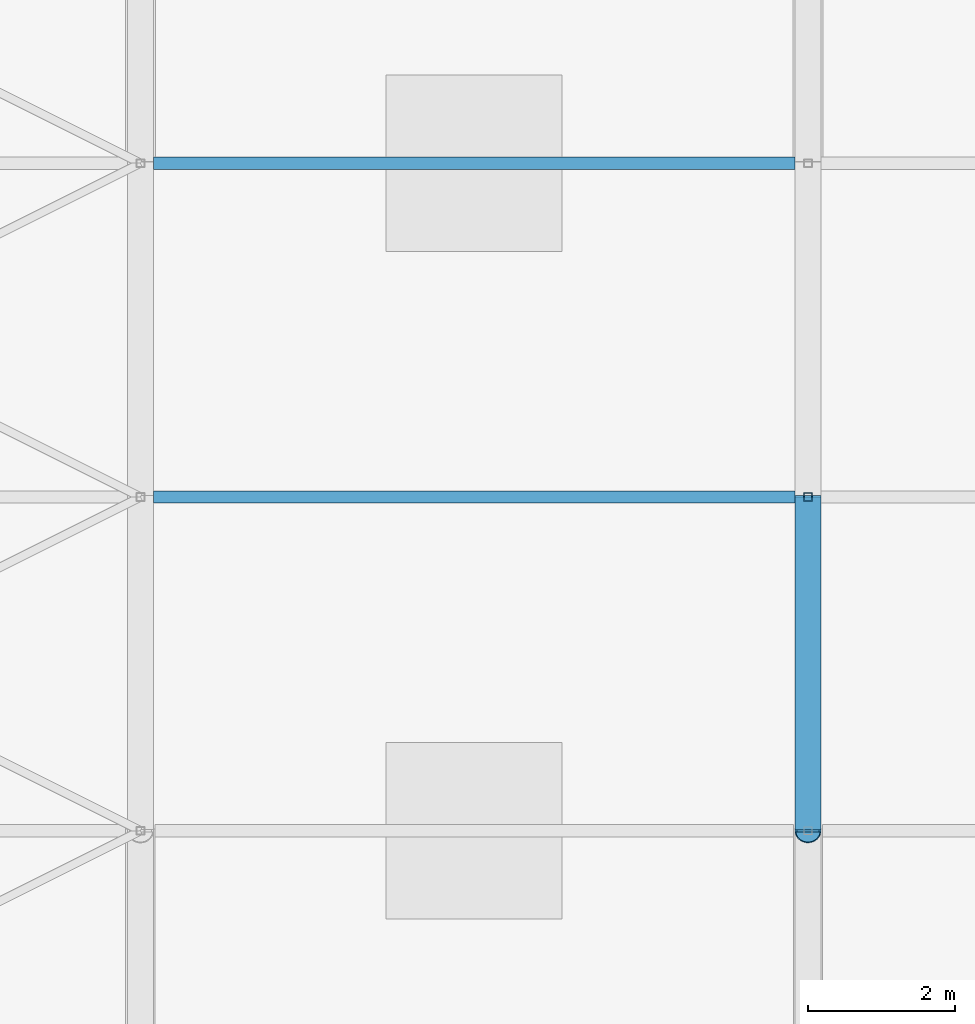
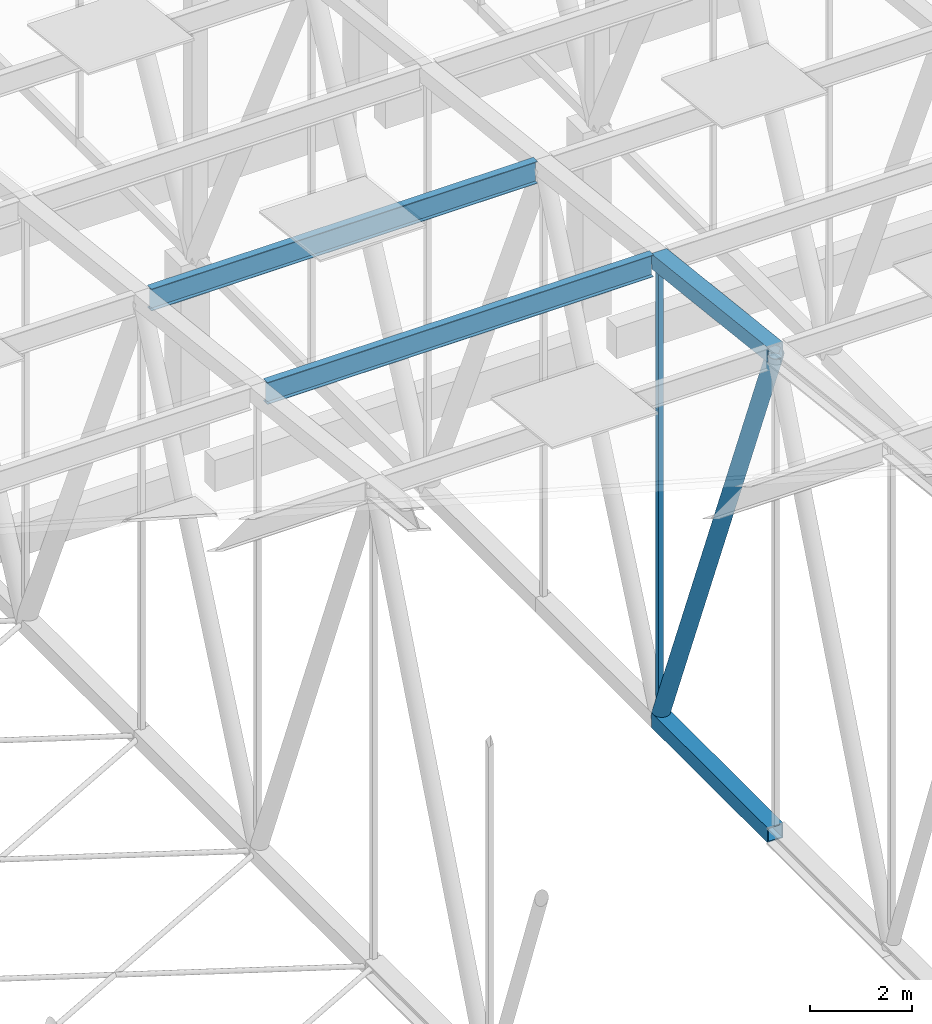
# One storey, part 266 of 500: 6 members.
"""IFC4 building model written with IfcOpenShell, lengths in metres."""

from ifc_helpers import new_model, si_unit, direction, frame, origin, origin_2d, place, context, subcontext, project, spatial, hollow_rectangle, hollow_circle, i_section, extrude, material, material_profile, profile_set, type_object, element, save


model = new_model("IFC4")

# Units and contexts
model_context = context("Model", 3, precision=1e-05, world=origin(), true_north=direction((0.0, 1.0)))
body_context = subcontext(model_context, "Body", "Model", "MODEL_VIEW")
ifc_project = project(units=[si_unit("LENGTHUNIT", "METRE"), si_unit("AREAUNIT", "SQUARE_METRE"), si_unit("VOLUMEUNIT", "CUBIC_METRE"), si_unit("PLANEANGLEUNIT", "RADIAN"), si_unit("MASSUNIT", "GRAM", prefix="KILO")], contexts=[model_context])

# Site, building, storey
site_placement = place(None, origin())
site = spatial("IfcSite", under=ifc_project, at=site_placement, CompositionType="ELEMENT")
building_placement = place(site_placement, origin())
building = spatial("IfcBuilding", under=site, at=building_placement, Name="Shirokan Park Arena", CompositionType="ELEMENT")
storey_placement = place(building_placement, frame((0.0, 0.0, 29.1201171875)))
storey = spatial("IfcBuildingStorey", under=building, at=storey_placement, Name="L06", CompositionType="ELEMENT", Elevation=29.1201171875)

# Members
ifc_material_1 = material(Name="Steel S355J2H", Category="steel")
ifc_material_profile_1 = material_profile(ifc_material_1, hollow_rectangle(XDim=0.35595703125, YDim=0.35595703125, WallThickness=0.025390625, at=origin_2d()), Name="HSS355.6X355.6X25.4")
ifc_profile_set_1 = profile_set([ifc_material_profile_1], Name="Steel S355J2H")
member_type_1 = type_object("IfcMemberType", Name="Bottom chord HSS355.6X355.6X25.4", PredefinedType="CHORD", material=ifc_profile_set_1)
member_1_placement = place(storey_placement, frame((63.699951171875, 77.35009765625, 4.677001953125), z_axis=(0.0, 1.0, 0.0), x_axis=(-1.0, 0.0, 0.0)))
element("IfcMember", 1, at=member_1_placement, inside=storey, type_object=member_type_1, Name="Truss T08 bottom chord 20", PredefinedType="CHORD", context=body_context, shape_type="SweptSolid", body=[
    extrude(hollow_rectangle(XDim=0.35595703125, YDim=0.35595703125, WallThickness=0.025390625, at=origin_2d()), origin(), (0.0, 0.0, 1.0), 4.5498046875),
])
ifc_material_2 = material(Name="Steel ASTM A992", Category="steel")
ifc_material_profile_2 = material_profile(ifc_material_2, i_section(OverallWidth=0.166015625, OverallDepth=0.528076171875, WebThickness=0.009765625, FlangeThickness=0.013671875, at=origin_2d()), Name="W530X74")
ifc_profile_set_2 = profile_set([ifc_material_profile_2], Name="Steel ASTM A992")
member_type_2 = type_object("IfcMemberType", Name="Purlin W530X74", PredefinedType="PURLIN", material=ifc_profile_set_2)
for number, where, z_axis, x_axis, name in (
    (2, (54.778076171875, 81.89990234375, 15.60595703125), (1.0, 0.0, 0.0), (0.0, 1.0, 0.0), "Purlin 21 bay 7"),
    (3, (54.778076171875, 86.449951171875, 15.0859375), (1.0, 0.0, 0.0), (0.0, 1.0, 0.0), "Purlin 22 bay 7"),
):
    element("IfcMember", number, at=place(storey_placement, frame(where, z_axis=z_axis, x_axis=x_axis)), inside=storey, type_object=member_type_2, Name=name, PredefinedType="PURLIN", context=body_context, shape_type="SweptSolid", body=[
        extrude(i_section(OverallWidth=0.166015625, OverallDepth=0.528076171875, WebThickness=0.009765625, FlangeThickness=0.013671875, at=origin_2d()), origin(), (0.0, 0.0, 1.0), 8.743896484375),
    ])
ifc_material_profile_3 = material_profile(ifc_material_1, hollow_rectangle(XDim=0.35595703125, YDim=0.35595703125, WallThickness=0.025390625, at=origin_2d()), Name="HSS355.6X355.6X25.4")
ifc_profile_set_3 = profile_set([ifc_material_profile_3], Name="Steel S355J2H")
member_type_3 = type_object("IfcMemberType", Name="Top chord HSS355.6X355.6X25.4", PredefinedType="CHORD", material=ifc_profile_set_3)
member_2_placement = place(storey_placement, frame((63.699951171875, 77.35009765625, 16.181396484375), z_axis=(0.0, 0.993531641592, -0.11355561261), x_axis=(-1.0, 0.0, 0.0)))
element("IfcMember", 4, at=member_2_placement, inside=storey, type_object=member_type_3, Name="Truss T08 top chord 20", PredefinedType="CHORD", context=body_context, shape_type="SweptSolid", body=[
    extrude(hollow_rectangle(XDim=0.35595703125, YDim=0.35595703125, WallThickness=0.025390625, at=origin_2d()), origin(), (0.0, 0.0, 1.0), 4.579345703125),
])
ifc_material_3 = material(Name="Steel ASTM A500 Grade C", Category="steel")
ifc_material_profile_4 = material_profile(ifc_material_3, hollow_circle(Radius=0.177978515625, WallThickness=0.0126953125, at=origin_2d()), Name="HSS355.6X12.7")
ifc_profile_set_4 = profile_set([ifc_material_profile_4], Name="Steel ASTM A500 Grade C")
member_type_4 = type_object("IfcMemberType", Name="Truss diagonal HSS355.6X12.7", PredefinedType="BRACE", material=ifc_profile_set_4)
member_3_placement = place(storey_placement, frame((63.699951171875, 77.35009765625, 16.181396484375), z_axis=(0.0, 0.367767637573, -0.929917719346), x_axis=(-1.0, 0.0, 0.0)))
element("IfcMember", 5, at=member_3_placement, inside=storey, type_object=member_type_4, Name="Truss T08 diagonal 20", PredefinedType="BRACE", context=body_context, shape_type="SweptSolid", body=[
    extrude(hollow_circle(Radius=0.177978515625, WallThickness=0.0126953125, at=origin_2d()), origin(), (0.0, 0.0, 1.0), 12.371337890625),
])
ifc_material_profile_5 = material_profile(ifc_material_3, hollow_rectangle(XDim=0.114013671875, YDim=0.114013671875, WallThickness=0.00634765625, at=origin_2d()), Name="HSS114.3X114.3X6.4")
ifc_profile_set_5 = profile_set([ifc_material_profile_5], Name="Steel ASTM A500 Grade C")
member_type_5 = type_object("IfcMemberType", Name="Truss post HSS114.3X114.3X6.4", PredefinedType="POST", material=ifc_profile_set_5)
member_4_placement = place(storey_placement, frame((63.699951171875, 81.89990234375, 4.677001953125), z_axis=(0.0, 0.0, 1.0), x_axis=(1.0, 0.0, 0.0)))
element("IfcMember", 6, at=member_4_placement, inside=storey, type_object=member_type_5, Name="Truss T08 post 21", PredefinedType="POST", context=body_context, shape_type="SweptSolid", body=[
    extrude(hollow_rectangle(XDim=0.114013671875, YDim=0.114013671875, WallThickness=0.00634765625, at=origin_2d()), origin(), (0.0, 0.0, 1.0), 10.984375),
])

save(model, "model.ifc")
